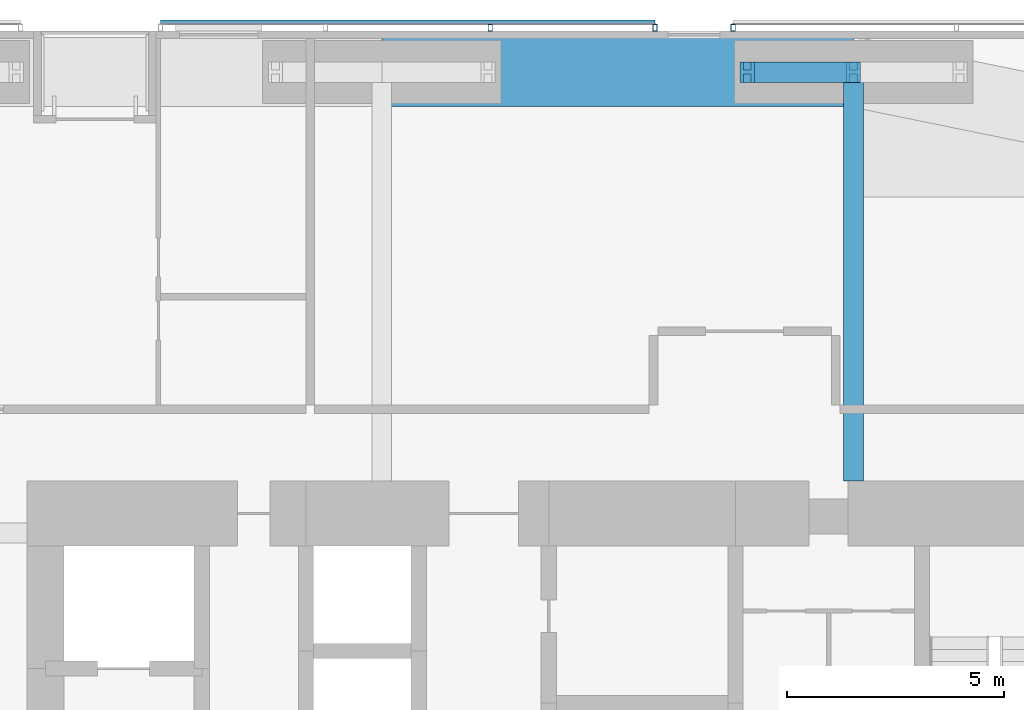
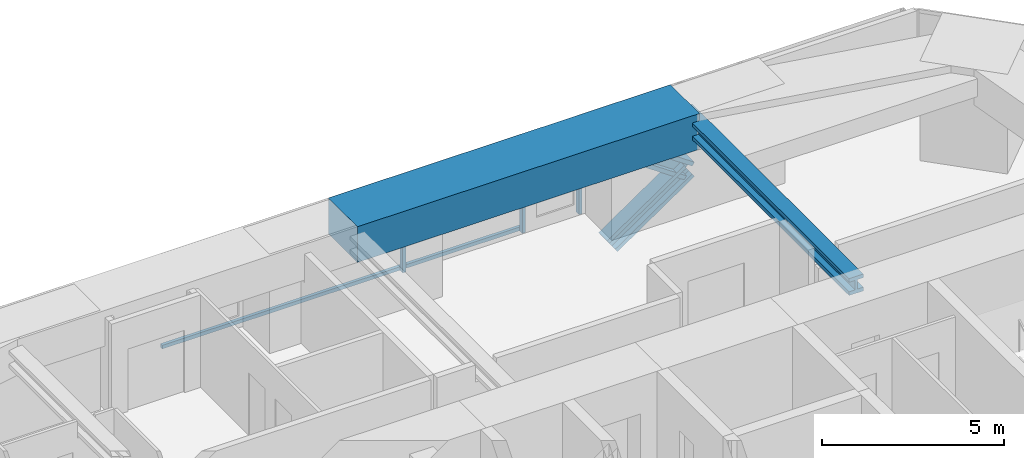
# One storey, part 14 of 24: 6 members, 2 beams, 2 elements without a shape of their own.
"""IFC4 building model written with IfcOpenShell, lengths in metres."""

from ifc_helpers import new_model, si_unit, direction, frame, origin, origin_2d, place, context, subcontext, project, spatial, rectangle, hollow_rectangle, i_section, extrude, material, material_profile, profile_set, type_object, element, aggregate, save


model = new_model("IFC4")

# Units and contexts
model_context = context("Model", 3, precision=1e-05, world=origin(), true_north=direction((0.0, 1.0)))
body_context = subcontext(model_context, "Body", "Model", "MODEL_VIEW")
ifc_project = project(units=[si_unit("LENGTHUNIT", "METRE"), si_unit("AREAUNIT", "SQUARE_METRE"), si_unit("VOLUMEUNIT", "CUBIC_METRE"), si_unit("PLANEANGLEUNIT", "RADIAN"), si_unit("MASSUNIT", "GRAM", prefix="KILO")], contexts=[model_context])

# Site, building, storey
site_placement = place(None, origin())
site = spatial("IfcSite", under=ifc_project, at=site_placement, CompositionType="ELEMENT")
building_placement = place(site_placement, origin())
building = spatial("IfcBuilding", under=site, at=building_placement, Name="Jalousie Tower", CompositionType="ELEMENT")
storey_placement = place(building_placement, frame((0.0, 0.0, 135.0)))
storey = spatial("IfcBuildingStorey", under=building, at=storey_placement, Name="L37", CompositionType="ELEMENT", Elevation=135.0)

# Beam
ifc_material_1 = material(Name="Steel ASTM A992 Grade 50", Category="steel")
ifc_material_profile_1 = material_profile(ifc_material_1, i_section(OverallWidth=0.45458984375, OverallDepth=0.569091796875, WebThickness=0.077880859375, FlangeThickness=0.124755859375, at=origin_2d()), Name="W14X730")
ifc_profile_set_1 = profile_set([ifc_material_profile_1], Name="Steel ASTM A992 Grade 50")
beam_type_1 = type_object("IfcBeamType", Name="LEAN COLLECTOR W14X730", PredefinedType="BEAM", material=ifc_profile_set_1)
beam_1_placement = place(storey_placement, frame((38.625, 37.050048828125, 2.825439453125), z_axis=(0.0, -1.0, 0.0), x_axis=(1.0, 0.0, 0.0)))
element("IfcBeam", 1, at=beam_1_placement, inside=storey, type_object=beam_type_1, Name="Lean collector under L38", PredefinedType="BEAM", context=body_context, shape_type="SweptSolid", body=[
    extrude(i_section(OverallWidth=0.45458984375, OverallDepth=0.569091796875, WebThickness=0.077880859375, FlangeThickness=0.124755859375, at=origin_2d()), origin(), (0.0, 0.0, 1.0), 9.425048828125),
])

# Members
ifc_material_2 = material(Name="Steel ASTM A992 Grade 50", Category="steel")
ifc_material_profile_2 = material_profile(ifc_material_2, i_section(OverallWidth=0.472412109375, OverallDepth=0.5791015625, WebThickness=0.094970703125, FlangeThickness=0.1298828125, at=origin_2d()), Name="W14X808")
ifc_profile_set_2 = profile_set([ifc_material_profile_2], Name="Steel ASTM A992 Grade 50")
member_type_1 = type_object("IfcMemberType", Name="PERIMETER BRACE W14X808", PredefinedType="BRACE", material=ifc_profile_set_2)
for number, where, z_axis, x_axis, name in (
    (2, (36.175048828125, 37.050048828125, -0.60009765625), (0.825500916831, 0.0, 0.564400776321), (0.0, 1.0, 0.0), "Perimeter brace 09 L37 part 1"),
    (3, (38.625, 37.050048828125, 1.074951171875), (-0.825500916831, 0.0, 0.564400776321), (0.0, -1.0, 0.0), "Perimeter brace 09 L37 part 4"),
):
    element("IfcMember", number, at=place(storey_placement, frame(where, z_axis=z_axis, x_axis=x_axis)), inside=storey, type_object=member_type_1, Name=name, PredefinedType="BRACE", context=body_context, shape_type="SweptSolid", body=[
        extrude(i_section(OverallWidth=0.472412109375, OverallDepth=0.5791015625, WebThickness=0.094970703125, FlangeThickness=0.1298828125, at=origin_2d()), origin(), (0.0, 0.0, 1.0), 2.9677734375),
    ])

# Beam
ifc_material_3 = material(Name="Concrete f'c 40 MPa", Category="concrete")
ifc_material_profile_3 = material_profile(ifc_material_3, rectangle(XDim=1.60009765625, YDim=1.199951171875, at=origin_2d()), Name="RC 1600x1200")
ifc_profile_set_3 = profile_set([ifc_material_profile_3], Name="Concrete f'c 40 MPa")
beam_type_2 = type_object("IfcBeamType", Name="RC BEAM 1600x1200", PredefinedType="BEAM", material=ifc_profile_set_3)
beam_2_placement = place(storey_placement, frame((38.625, 37.050048828125, 2.75), z_axis=(-1.0, 0.0, 0.0), x_axis=(0.0, -1.0, 0.0)))
element("IfcBeam", 4, at=beam_2_placement, inside=storey, type_object=beam_type_2, Name="Edge band beam 09-10 under L38", PredefinedType="BEAM", context=body_context, shape_type="SweptSolid", body=[
    extrude(rectangle(XDim=1.60009765625, YDim=1.199951171875, at=origin_2d()), origin(), (0.0, 0.0, 1.0), 10.875),
])

# Curtain wall, member
ifc_material_4 = material(Name="Perforated aluminium sheet", Category="aluminium")
curtain_wall_type = type_object("IfcCurtainWallType", Name="SOLAR SCREEN SS-1", PredefinedType="USERDEFINED", material=ifc_material_4)
curtain_wall_1_placement = place(storey_placement, origin())
curtain_wall_1 = element("IfcCurtainWall", 5, at=curtain_wall_1_placement, inside=storey, type_object=curtain_wall_type, Name="Solar screen L37", ObjectType="SOLAR SCREEN SS-1", PredefinedType="USERDEFINED")
ifc_material_5 = material(Name="Steel ASTM A500 Grade C", Category="steel")
ifc_material_profile_4 = material_profile(ifc_material_5, hollow_rectangle(XDim=0.1015625, YDim=0.15234375, WallThickness=0.00634765625, at=origin_2d()), Name="HSS6X4X1/4")
ifc_profile_set_4 = profile_set([ifc_material_profile_4], Name="Steel ASTM A500 Grade C")
member_type_2 = type_object("IfcMemberType", Name="SOLAR SCREEN SS-1 MULLION", PredefinedType="MULLION", material=ifc_profile_set_4)
member_1_placement = place(storey_placement, frame((35.84814453125, 38.0712890625, -0.1201171875), z_axis=(0.0, 0.0, 1.0), x_axis=(-1.0, 0.0, 0.0)))
member_1 = element("IfcMember", 6, at=member_1_placement, type_object=member_type_2, Name="SS1 post 3", PredefinedType="MULLION", context=body_context, shape_type="SweptSolid", body=[
    extrude(hollow_rectangle(XDim=0.1015625, YDim=0.15234375, WallThickness=0.00634765625, at=origin_2d()), origin(), (0.0, 0.0, 1.0), 3.230224609375),
])
aggregate(curtain_wall_1, [member_1])

# Curtain wall, members
curtain_wall_2_placement = place(storey_placement, origin())
curtain_wall_2 = element("IfcCurtainWall", 7, at=curtain_wall_2_placement, inside=storey, type_object=curtain_wall_type, Name="Solar screen L37", ObjectType="SOLAR SCREEN SS-1", PredefinedType="USERDEFINED")
member_2_placement = place(storey_placement, frame((34.048095703125, 38.0712890625, -0.1201171875), z_axis=(0.0, 0.0, 1.0), x_axis=(-1.0, 0.0, 0.0)))
member_2 = element("IfcMember", 8, at=member_2_placement, type_object=member_type_2, Name="SS1 post 1", PredefinedType="MULLION", context=body_context, shape_type="SweptSolid", body=[
    extrude(hollow_rectangle(XDim=0.1015625, YDim=0.15234375, WallThickness=0.00634765625, at=origin_2d()), origin(), (0.0, 0.0, 1.0), 3.230224609375),
])
member_3_placement = place(storey_placement, frame((30.248779296875, 38.0712890625, -0.1201171875), z_axis=(0.0, 0.0, 1.0), x_axis=(-1.0, 0.0, 0.0)))
member_3 = element("IfcMember", 9, at=member_3_placement, type_object=member_type_2, Name="SS1 post 2", PredefinedType="MULLION", context=body_context, shape_type="SweptSolid", body=[
    extrude(hollow_rectangle(XDim=0.1015625, YDim=0.15234375, WallThickness=0.00634765625, at=origin_2d()), origin(), (0.0, 0.0, 1.0), 3.230224609375),
])
ifc_material_6 = material(Name="Extruded aluminium screen rail", Category="aluminium")
ifc_material_profile_5 = material_profile(ifc_material_6, rectangle(XDim=0.1015625, YDim=0.1201171875, at=origin_2d()), Name="RAIL 102x120")
ifc_profile_set_5 = profile_set([ifc_material_profile_5], Name="Extruded aluminium screen rail")
member_type_3 = type_object("IfcMemberType", Name="SOLAR SCREEN SS-1 TRANSOM", PredefinedType="USERDEFINED", material=ifc_profile_set_5)
member_4_placement = place(storey_placement, frame((34.048095703125, 38.1982421875, -0.06005859375), z_axis=(-1.0, 0.0, 0.0), x_axis=(0.0, -1.0, 0.0)))
member_4 = element("IfcMember", 10, at=member_4_placement, type_object=member_type_3, Name="SS1 rail", ObjectType="TRANSOM", PredefinedType="USERDEFINED", context=body_context, shape_type="SweptSolid", body=[
    extrude(rectangle(XDim=0.1015625, YDim=0.1201171875, at=origin_2d()), origin(), (0.0, 0.0, 1.0), 11.398193359375),
])
aggregate(curtain_wall_2, [member_2, member_3, member_4])

save(model, "model.ifc")
